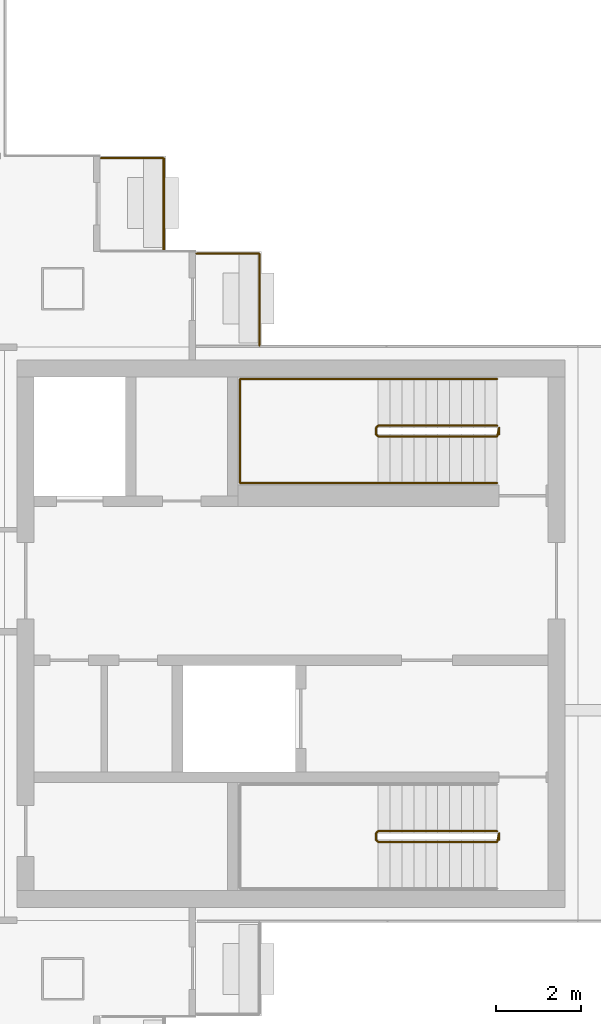
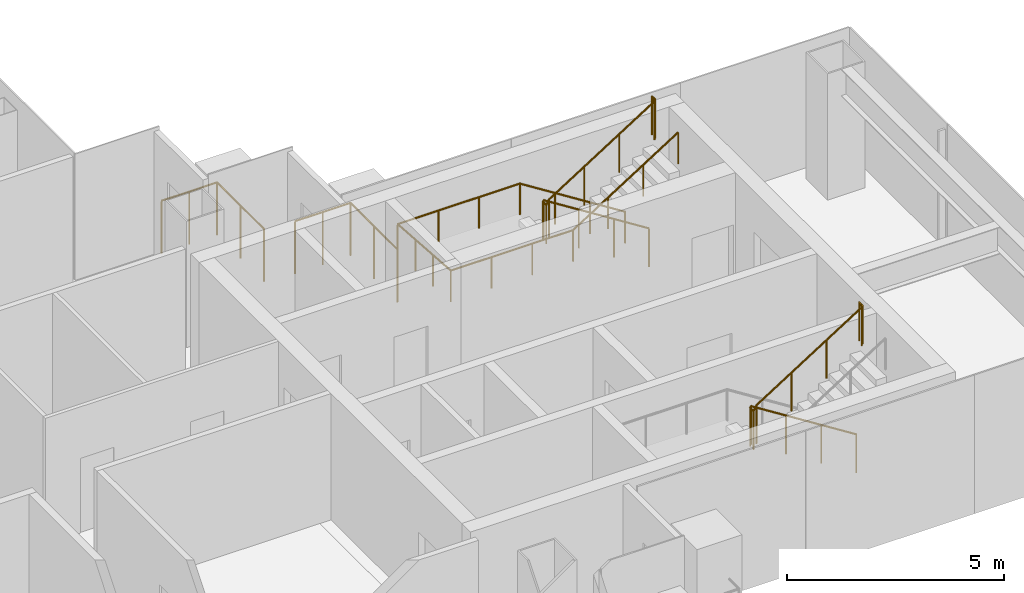
# One storey, part 16 of 17: 5 railings.
"""IFC4 building model written with IfcOpenShell, lengths in metres."""

from ifc_helpers import new_model, si_unit, direction, frame, origin, origin_2d, place, context, subcontext, project, spatial, circle, extrude, material, type_object, element, save


model = new_model("IFC4")

# Units and contexts
model_context = context("Model", 3, precision=1e-05, world=origin(), true_north=direction((0.0, 1.0)))
body_context = subcontext(model_context, "Body", "Model", "MODEL_VIEW")
ifc_project = project(units=[si_unit("LENGTHUNIT", "METRE"), si_unit("AREAUNIT", "SQUARE_METRE"), si_unit("VOLUMEUNIT", "CUBIC_METRE"), si_unit("PLANEANGLEUNIT", "RADIAN"), si_unit("MASSUNIT", "GRAM", prefix="KILO")], contexts=[model_context])

# Site, building, storey
site_placement = place(None, origin())
site = spatial("IfcSite", under=ifc_project, at=site_placement, CompositionType="ELEMENT")
building_placement = place(site_placement, origin())
building = spatial("IfcBuilding", under=site, at=building_placement, Name="Shamsa Quay Exchange Towers", CompositionType="ELEMENT")
storey_placement = place(building_placement, frame((0.0, 0.0, 194.39990234375)))
storey = spatial("IfcBuildingStorey", under=building, at=storey_placement, Name="L46", CompositionType="ELEMENT", Elevation=194.39990234375)

# Railings
ifc_material_1 = material(Name="Steel S355, black powder-coated", Category="steel")
railing_type_1 = type_object("IfcRailingType", Name="BALCONY GUARD 1500", PredefinedType="GUARDRAIL", material=ifc_material_1)
for number, where, name in (
    (1, (44.25, 9.0380859375, 0.0), "Balcony guard T2-PKES L46"),
    (2, (46.5, 6.7880859375, 0.0), "Balcony guard T2-PKES L46"),
):
    element("IfcRailing", number, at=place(storey_placement, frame(where)), inside=storey, type_object=railing_type_1, Name=name, PredefinedType="GUARDRAIL", context=body_context, shape_type="SweptSolid", body=[
        extrude(circle(Radius=0.02392578125, at=origin_2d()), frame((0.0, 0.0, 1.47607421875), z_axis=(0.0, 1.0, 0.0), x_axis=(-1.0, 0.0, 0.0)), (0.0, 0.0, 1.0), 2.161865234375),
        extrude(circle(Radius=0.02392578125, at=origin_2d()), frame((0.0, 2.161865234375, 1.47607421875), z_axis=(-1.0, 0.0, 0.0), x_axis=(0.0, -1.0, 0.0)), (0.0, 0.0, 1.0), 1.47900390625),
        extrude(circle(Radius=0.02099609375, at=origin_2d()), origin(), (0.0, 0.0, 1.0), 1.451904296875),
        extrude(circle(Radius=0.02099609375, at=origin_2d()), frame((0.0, 1.0810546875, 0.0)), (0.0, 0.0, 1.0), 1.451904296875),
        extrude(circle(Radius=0.02099609375, at=origin_2d()), frame((0.0, 2.161865234375, 0.0)), (0.0, 0.0, 1.0), 1.451904296875),
        extrude(circle(Radius=0.02099609375, at=origin_2d()), frame((-0.739501953125, 2.161865234375, 0.0)), (0.0, 0.0, 1.0), 1.451904296875),
        extrude(circle(Radius=0.02099609375, at=origin_2d()), frame((-1.47900390625, 2.161865234375, 0.0)), (0.0, 0.0, 1.0), 1.451904296875),
    ])
ifc_material_2 = material(Name="Stainless steel", Category="steel")
railing_type_2 = type_object("IfcRailingType", Name="STAIR GUARD 1100", PredefinedType="GUARDRAIL", material=ifc_material_2)
railing_1_placement = place(storey_placement, frame((52.10009765625, -4.64990234375, 0.177490234375)))
element("IfcRailing", 3, at=railing_1_placement, inside=storey, type_object=railing_type_2, Name="L46 ST5 stair guard 1", PredefinedType="GUARDRAIL", context=body_context, shape_type="SweptSolid", body=[
    extrude(circle(Radius=0.02392578125, at=origin_2d()), frame((0.0, 0.0, 1.076171875), z_axis=(-0.844908973607, 0.0, 0.534910110503), x_axis=(0.0, -1.0, 0.0)), (0.0, 0.0, 1.0), 3.31396484375),
    extrude(circle(Radius=0.02392578125, at=origin_2d()), frame((-2.800048828125, 0.0, 2.8486328125), z_axis=(-0.707106781187, -0.707106781187, 0.0), x_axis=(0.707106781187, -0.707106781187, 0.0)), (0.0, 0.0, 1.0), 0.07080078125),
    extrude(circle(Radius=0.02392578125, at=origin_2d()), frame((-2.85009765625, -0.050048828125, 2.8486328125), z_axis=(0.0, -1.0, 0.0), x_axis=(1.0, 0.0, 0.0)), (0.0, 0.0, 1.0), 0.150146484375),
    extrude(circle(Radius=0.02392578125, at=origin_2d()), frame((-2.85009765625, -0.2001953125, 2.8486328125), z_axis=(0.262321481514, -0.261041864531, 0.929001929653), x_axis=(0.705375805398, 0.708833529934, 0.0)), (0.0, 0.0, 1.0), 0.190673828125),
    extrude(circle(Radius=0.02392578125, at=origin_2d()), frame((-2.800048828125, -0.25, 3.02587890625), z_axis=(0.844908973607, 0.0, 0.534910110503), x_axis=(0.0, 1.0, 0.0)), (0.0, 0.0, 1.0), 3.31396484375),
    extrude(circle(Radius=0.02392578125, at=origin_2d()), frame((0.0, -0.25, 4.798828125), z_axis=(0.241699205484, 0.970351222016, 0.0), x_axis=(-0.970351222016, 0.241699205484, 0.0)), (0.0, 0.0, 1.0), 0.2060546875),
    extrude(circle(Radius=0.02392578125, at=origin_2d()), frame((0.0498046875, -0.050048828125, 4.798828125), z_axis=(0.0, -1.0, 0.0), x_axis=(1.0, 0.0, 0.0)), (0.0, 0.0, 1.0), 0.150146484375),
    extrude(circle(Radius=0.02099609375, at=origin_2d()), origin(), (0.0, 0.0, 1.0), 1.052001953125),
    extrude(circle(Radius=0.02099609375, at=origin_2d()), frame((-0.933349609375, 0.0, 0.5908203125)), (0.0, 0.0, 1.0), 1.052001953125),
    extrude(circle(Radius=0.02099609375, at=origin_2d()), frame((-1.86669921875, 0.0, 1.181884765625)), (0.0, 0.0, 1.0), 1.052001953125),
    extrude(circle(Radius=0.02099609375, at=origin_2d()), frame((-2.800048828125, 0.0, 1.772705078125)), (0.0, 0.0, 1.0), 1.052001953125),
    extrude(circle(Radius=0.02099609375, at=origin_2d()), frame((-2.85009765625, -0.050048828125, 1.772705078125)), (0.0, 0.0, 1.0), 1.052001953125),
    extrude(circle(Radius=0.02099609375, at=origin_2d()), frame((-2.85009765625, -0.2001953125, 1.772705078125)), (0.0, 0.0, 1.0), 1.052001953125),
    extrude(circle(Radius=0.02099609375, at=origin_2d()), frame((-2.800048828125, -0.25, 1.949951171875)), (0.0, 0.0, 1.0), 1.052001953125),
    extrude(circle(Radius=0.02099609375, at=origin_2d()), frame((-1.86669921875, -0.25, 2.540771484375)), (0.0, 0.0, 1.0), 1.052001953125),
    extrude(circle(Radius=0.02099609375, at=origin_2d()), frame((-0.933349609375, -0.25, 3.1318359375)), (0.0, 0.0, 1.0), 1.052001953125),
    extrude(circle(Radius=0.02099609375, at=origin_2d()), frame((0.0, -0.25, 3.72265625)), (0.0, 0.0, 1.0), 1.052001953125),
    extrude(circle(Radius=0.02099609375, at=origin_2d()), frame((0.0498046875, -0.050048828125, 3.72265625)), (0.0, 0.0, 1.0), 1.052001953125),
    extrude(circle(Radius=0.02099609375, at=origin_2d()), frame((0.0498046875, -0.2001953125, 3.72265625)), (0.0, 0.0, 1.0), 1.052001953125),
])
railing_2_placement = place(storey_placement, frame((52.10009765625, 4.89990234375, 0.177490234375)))
element("IfcRailing", 4, at=railing_2_placement, inside=storey, type_object=railing_type_2, Name="L46 ST6 stair guard 1", PredefinedType="GUARDRAIL", context=body_context, shape_type="SweptSolid", body=[
    extrude(circle(Radius=0.02392578125, at=origin_2d()), frame((0.0, 0.0, 1.076171875), z_axis=(-0.844908973607, 0.0, 0.534910110503), x_axis=(0.0, -1.0, 0.0)), (0.0, 0.0, 1.0), 3.31396484375),
    extrude(circle(Radius=0.02392578125, at=origin_2d()), frame((-2.800048828125, 0.0, 2.8486328125), z_axis=(-0.708833529934, -0.705375805398, 0.0), x_axis=(0.705375805398, -0.708833529934, 0.0)), (0.0, 0.0, 1.0), 0.070556640625),
    extrude(circle(Radius=0.02392578125, at=origin_2d()), frame((-2.85009765625, -0.0498046875, 2.8486328125), z_axis=(0.0, -1.0, 0.0), x_axis=(1.0, 0.0, 0.0)), (0.0, 0.0, 1.0), 0.150146484375),
    extrude(circle(Radius=0.02392578125, at=origin_2d()), frame((-2.85009765625, -0.199951171875, 2.8486328125), z_axis=(0.262233686654, -0.262233686654, 0.928691007369), x_axis=(0.707106781187, 0.707106781187, 0.0)), (0.0, 0.0, 1.0), 0.19091796875),
    extrude(circle(Radius=0.02392578125, at=origin_2d()), frame((-2.800048828125, -0.25, 3.02587890625), z_axis=(0.844908973607, 0.0, 0.534910110503), x_axis=(0.0, 1.0, 0.0)), (0.0, 0.0, 1.0), 3.31396484375),
    extrude(circle(Radius=0.02392578125, at=origin_2d()), frame((0.0, -0.25, 4.798828125), z_axis=(0.24142163986, 0.970420317083, 0.0), x_axis=(-0.970420317083, 0.24142163986, 0.0)), (0.0, 0.0, 1.0), 0.206298828125),
    extrude(circle(Radius=0.02392578125, at=origin_2d()), frame((0.0498046875, -0.0498046875, 4.798828125), z_axis=(0.0, -1.0, 0.0), x_axis=(1.0, 0.0, 0.0)), (0.0, 0.0, 1.0), 0.150146484375),
    extrude(circle(Radius=0.02099609375, at=origin_2d()), origin(), (0.0, 0.0, 1.0), 1.052001953125),
    extrude(circle(Radius=0.02099609375, at=origin_2d()), frame((-0.933349609375, 0.0, 0.5908203125)), (0.0, 0.0, 1.0), 1.052001953125),
    extrude(circle(Radius=0.02099609375, at=origin_2d()), frame((-1.86669921875, 0.0, 1.181884765625)), (0.0, 0.0, 1.0), 1.052001953125),
    extrude(circle(Radius=0.02099609375, at=origin_2d()), frame((-2.800048828125, 0.0, 1.772705078125)), (0.0, 0.0, 1.0), 1.052001953125),
    extrude(circle(Radius=0.02099609375, at=origin_2d()), frame((-2.85009765625, -0.0498046875, 1.772705078125)), (0.0, 0.0, 1.0), 1.052001953125),
    extrude(circle(Radius=0.02099609375, at=origin_2d()), frame((-2.85009765625, -0.199951171875, 1.772705078125)), (0.0, 0.0, 1.0), 1.052001953125),
    extrude(circle(Radius=0.02099609375, at=origin_2d()), frame((-2.800048828125, -0.25, 1.949951171875)), (0.0, 0.0, 1.0), 1.052001953125),
    extrude(circle(Radius=0.02099609375, at=origin_2d()), frame((-1.86669921875, -0.25, 2.540771484375)), (0.0, 0.0, 1.0), 1.052001953125),
    extrude(circle(Radius=0.02099609375, at=origin_2d()), frame((-0.933349609375, -0.25, 3.1318359375)), (0.0, 0.0, 1.0), 1.052001953125),
    extrude(circle(Radius=0.02099609375, at=origin_2d()), frame((0.0, -0.25, 3.72265625)), (0.0, 0.0, 1.0), 1.052001953125),
    extrude(circle(Radius=0.02099609375, at=origin_2d()), frame((0.0498046875, -0.0498046875, 3.72265625)), (0.0, 0.0, 1.0), 1.052001953125),
    extrude(circle(Radius=0.02099609375, at=origin_2d()), frame((0.0498046875, -0.199951171875, 3.72265625)), (0.0, 0.0, 1.0), 1.052001953125),
])
railing_type_3 = type_object("IfcRailingType", Name="STAIR HANDRAIL 900", PredefinedType="HANDRAIL", material=ifc_material_2)
railing_3_placement = place(storey_placement, frame((52.10009765625, 6.0, 0.177490234375)))
element("IfcRailing", 5, at=railing_3_placement, inside=storey, type_object=railing_type_3, Name="L46 ST6 stair handrail 1", PredefinedType="HANDRAIL", context=body_context, shape_type="SweptSolid", body=[
    extrude(circle(Radius=0.02392578125, at=origin_2d()), frame((0.0, 0.0, 0.8759765625), z_axis=(-0.844908973607, 0.0, 0.534910110503), x_axis=(0.0, -1.0, 0.0)), (0.0, 0.0, 1.0), 3.31396484375),
    extrude(circle(Radius=0.02392578125, at=origin_2d()), frame((-2.800048828125, 0.0, 2.6484375), z_axis=(-1.0, 0.0, 0.0), x_axis=(0.0, -1.0, 0.0)), (0.0, 0.0, 1.0), 3.25),
    extrude(circle(Radius=0.02392578125, at=origin_2d()), frame((-6.050048828125, 0.0, 2.6484375), z_axis=(0.0, -0.997393199914, 0.07215819264), x_axis=(1.0, 0.0, 0.0)), (0.0, 0.0, 1.0), 2.456298828125),
    extrude(circle(Radius=0.02392578125, at=origin_2d()), frame((-6.050048828125, -2.449951171875, 2.82568359375), z_axis=(1.0, 0.0, 0.0), x_axis=(0.0, 1.0, 0.0)), (0.0, 0.0, 1.0), 3.25),
    extrude(circle(Radius=0.02392578125, at=origin_2d()), frame((-2.800048828125, -2.449951171875, 2.82568359375), z_axis=(0.844908973607, 0.0, 0.534910110503), x_axis=(0.0, 1.0, 0.0)), (0.0, 0.0, 1.0), 3.31396484375),
    extrude(circle(Radius=0.02099609375, at=origin_2d()), origin(), (0.0, 0.0, 1.0), 0.851806640625),
    extrude(circle(Radius=0.02099609375, at=origin_2d()), frame((-0.933349609375, 0.0, 0.5908203125)), (0.0, 0.0, 1.0), 0.851806640625),
    extrude(circle(Radius=0.02099609375, at=origin_2d()), frame((-1.86669921875, 0.0, 1.181884765625)), (0.0, 0.0, 1.0), 0.851806640625),
    extrude(circle(Radius=0.02099609375, at=origin_2d()), frame((-2.800048828125, 0.0, 1.772705078125)), (0.0, 0.0, 1.0), 0.851806640625),
    extrude(circle(Radius=0.02099609375, at=origin_2d()), frame((-3.88330078125, 0.0, 1.772705078125)), (0.0, 0.0, 1.0), 0.851806640625),
    extrude(circle(Radius=0.02099609375, at=origin_2d()), frame((-4.966796875, 0.0, 1.772705078125)), (0.0, 0.0, 1.0), 0.851806640625),
    extrude(circle(Radius=0.02099609375, at=origin_2d()), frame((-6.050048828125, 0.0, 1.772705078125)), (0.0, 0.0, 1.0), 0.851806640625),
    extrude(circle(Radius=0.02099609375, at=origin_2d()), frame((-6.050048828125, -0.816650390625, 1.831787109375)), (0.0, 0.0, 1.0), 0.851806640625),
    extrude(circle(Radius=0.02099609375, at=origin_2d()), frame((-6.050048828125, -1.63330078125, 1.890869140625)), (0.0, 0.0, 1.0), 0.851806640625),
    extrude(circle(Radius=0.02099609375, at=origin_2d()), frame((-6.050048828125, -2.449951171875, 1.949951171875)), (0.0, 0.0, 1.0), 0.851806640625),
    extrude(circle(Radius=0.02099609375, at=origin_2d()), frame((-4.966796875, -2.449951171875, 1.949951171875)), (0.0, 0.0, 1.0), 0.851806640625),
    extrude(circle(Radius=0.02099609375, at=origin_2d()), frame((-3.88330078125, -2.449951171875, 1.949951171875)), (0.0, 0.0, 1.0), 0.851806640625),
    extrude(circle(Radius=0.02099609375, at=origin_2d()), frame((-2.800048828125, -2.449951171875, 1.949951171875)), (0.0, 0.0, 1.0), 0.851806640625),
    extrude(circle(Radius=0.02099609375, at=origin_2d()), frame((-1.86669921875, -2.449951171875, 2.540771484375)), (0.0, 0.0, 1.0), 0.851806640625),
    extrude(circle(Radius=0.02099609375, at=origin_2d()), frame((-0.933349609375, -2.449951171875, 3.1318359375)), (0.0, 0.0, 1.0), 0.851806640625),
    extrude(circle(Radius=0.02099609375, at=origin_2d()), frame((0.0, -2.449951171875, 3.72265625)), (0.0, 0.0, 1.0), 0.851806640625),
])

save(model, "model.ifc")
